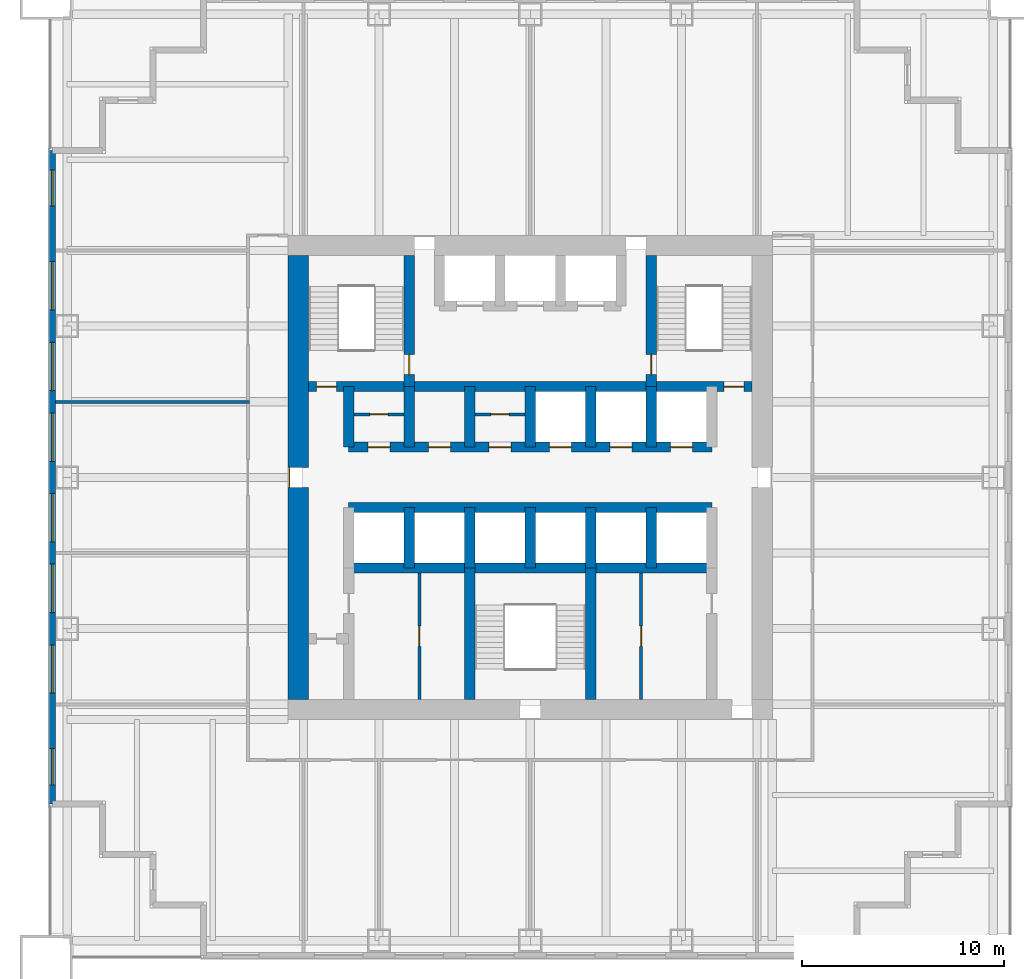
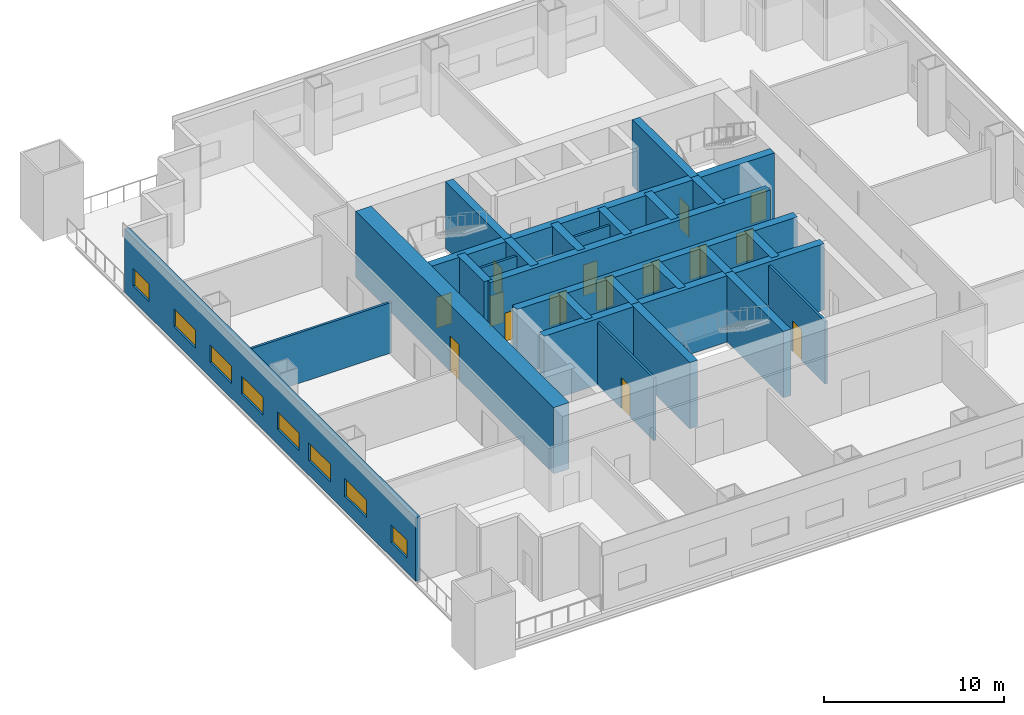
# One storey, part 3 of 7: 26 walls, 15 doors, 8 windows, 23 openings.
"""IFC4 building model written with IfcOpenShell, lengths in metres."""

from ifc_helpers import new_model, si_unit, direction, frame, frame_2d, origin, place, context, subcontext, project, spatial, rectangle, extrude, material, layer, layer_set, type_object, element, fill, save


model = new_model("IFC4")

# Units and contexts
model_context = context("Model", 3, precision=1e-05, world=origin(), true_north=direction((0.0, 1.0)))
body_context = subcontext(model_context, "Body", "Model", "MODEL_VIEW")
ifc_project = project(units=[si_unit("LENGTHUNIT", "METRE"), si_unit("AREAUNIT", "SQUARE_METRE"), si_unit("VOLUMEUNIT", "CUBIC_METRE"), si_unit("PLANEANGLEUNIT", "RADIAN"), si_unit("MASSUNIT", "GRAM", prefix="KILO")], contexts=[model_context])

# Site, building, storey
site_placement = place(None, origin())
site = spatial("IfcSite", under=ifc_project, at=site_placement, CompositionType="ELEMENT")
building_placement = place(site_placement, origin())
building = spatial("IfcBuilding", under=site, at=building_placement, Name="Tarangal Relay Tower", CompositionType="ELEMENT")
storey_placement = place(building_placement, frame((0.0, 0.0, 144.89990234375)))
storey = spatial("IfcBuildingStorey", under=building, at=storey_placement, Name="L29", CompositionType="ELEMENT", Elevation=144.89990234375)

# Wall, openings, doors
ifc_material_1 = material(Name="Concrete fc' 60 MPa", Category="concrete")
ifc_layer_1 = layer(ifc_material_1, 0.5)
ifc_layer_set_1 = layer_set([ifc_layer_1], Name="Core inner wall 500")
wall_type_1 = type_object("IfcWallType", Name="Core inner wall 500", PredefinedType="SHEAR", material=ifc_layer_set_1)
wall_1_placement = place(storey_placement, frame((-11.0, 4.5, 0.0), z_axis=(0.0, 0.0, 1.0), x_axis=(1.0, 0.0, 0.0)))
wall_1 = element("IfcWall", 1, at=wall_1_placement, inside=storey, type_object=wall_type_1, Name="Core wall Y45 L29", PredefinedType="SHEAR", context=body_context, shape_type="SweptSolid", body=[
    extrude(rectangle(XDim=22.0, YDim=0.5, at=frame_2d((11.0, 0.0))), origin(), (0.0, 0.0, 1.0), 4.5),
])
opening_1_placement = place(wall_1_placement, frame((0.39990234375, 0.0, 0.0)))
opening_1 = element("IfcOpeningElement", 2, at=opening_1_placement, cuts=wall_1, Name="Opening FD1", PredefinedType="OPENING", context=body_context, shape_type="SweptSolid", body=[
    extrude(rectangle(XDim=1.0, YDim=2.10009765625, at=frame_2d((0.5, 1.050048828125))), frame((0.0, 0.260009765625, 0.0), z_axis=(0.0, -1.0, 0.0), x_axis=(1.0, 0.0, 0.0)), (0.0, 0.0, 1.0), 0.52001953125),
])
opening_2_placement = place(wall_1_placement, frame((20.60009765625, 0.0, 0.0)))
opening_2 = element("IfcOpeningElement", 3, at=opening_2_placement, cuts=wall_1, Name="Opening FD1", PredefinedType="OPENING", context=body_context, shape_type="SweptSolid", body=[
    extrude(rectangle(XDim=1.0, YDim=2.10009765625, at=frame_2d((0.5, 1.050048828125))), frame((0.0, 0.260009765625, 0.0), z_axis=(0.0, -1.0, 0.0), x_axis=(1.0, 0.0, 0.0)), (0.0, 0.0, 1.0), 0.52001953125),
])
ifc_material_2 = material(Name="Steel door with hardwood frame", Category="steel")
door_type_1 = type_object("IfcDoorType", Name="Fire door 1000 x 2100", OperationType="SINGLE_SWING_LEFT", PredefinedType="DOOR", material=ifc_material_2)
door_1_placement = place(opening_1_placement, origin())
door_1 = element("IfcDoor", 4, at=door_1_placement, inside=storey, type_object=door_type_1, Name="Stair ST-A door from corridor L29", OperationType="SINGLE_SWING_LEFT", OverallHeight=2.10009765625, OverallWidth=1.0, PredefinedType="DOOR", context=body_context, shape_type="SweptSolid", body=[
    extrude(rectangle(XDim=1.0, YDim=2.10009765625, at=frame_2d((0.5, 1.050048828125))), frame((0.0, 0.02490234375, 0.0), z_axis=(0.0, -1.0, 0.0), x_axis=(1.0, 0.0, 0.0)), (0.0, 0.0, 1.0), 0.050048828125),
])
fill(opening_1, door_1)
door_2_placement = place(opening_2_placement, origin())
door_2 = element("IfcDoor", 5, at=door_2_placement, inside=storey, type_object=door_type_1, Name="Stair ST-B door from corridor L29", OperationType="SINGLE_SWING_LEFT", OverallHeight=2.10009765625, OverallWidth=1.0, PredefinedType="DOOR", context=body_context, shape_type="SweptSolid", body=[
    extrude(rectangle(XDim=1.0, YDim=2.10009765625, at=frame_2d((0.5, 1.050048828125))), frame((0.0, 0.02490234375, 0.0), z_axis=(0.0, -1.0, 0.0), x_axis=(1.0, 0.0, 0.0)), (0.0, 0.0, 1.0), 0.050048828125),
])
fill(opening_2, door_2)

wall_2_placement = place(storey_placement, frame((-9.0, 1.5, 0.0), z_axis=(0.0, 0.0, 1.0), x_axis=(1.0, 0.0, 0.0)))
wall_2 = element("IfcWall", 6, at=wall_2_placement, inside=storey, type_object=wall_type_1, Name="Core wall Y15 L29", PredefinedType="SHEAR", context=body_context, shape_type="SweptSolid", body=[
    extrude(rectangle(XDim=18.0, YDim=0.5, at=frame_2d((9.0, 0.0))), origin(), (0.0, 0.0, 1.0), 4.5),
])
opening_3_placement = place(wall_2_placement, frame((9.949951171875, 0.0, 0.0)))
opening_3 = element("IfcOpeningElement", 7, at=opening_3_placement, cuts=wall_2, Name="Opening LD1", PredefinedType="OPENING", context=body_context, shape_type="SweptSolid", body=[
    extrude(rectangle(XDim=1.10009765625, YDim=2.10009765625, at=frame_2d((0.550048828125, 1.050048828125))), frame((0.0, 0.260009765625, 0.0), z_axis=(0.0, -1.0, 0.0), x_axis=(1.0, 0.0, 0.0)), (0.0, 0.0, 1.0), 0.52001953125),
])
opening_4_placement = place(wall_2_placement, frame((12.949951171875, 0.0, 0.0)))
opening_4 = element("IfcOpeningElement", 8, at=opening_4_placement, cuts=wall_2, Name="Opening LD1", PredefinedType="OPENING", context=body_context, shape_type="SweptSolid", body=[
    extrude(rectangle(XDim=1.10009765625, YDim=2.10009765625, at=frame_2d((0.550048828125, 1.050048828125))), frame((0.0, 0.260009765625, 0.0), z_axis=(0.0, -1.0, 0.0), x_axis=(1.0, 0.0, 0.0)), (0.0, 0.0, 1.0), 0.52001953125),
])
opening_5_placement = place(wall_2_placement, frame((15.949951171875, 0.0, 0.0)))
opening_5 = element("IfcOpeningElement", 9, at=opening_5_placement, cuts=wall_2, Name="Opening LD1", PredefinedType="OPENING", context=body_context, shape_type="SweptSolid", body=[
    extrude(rectangle(XDim=1.10009765625, YDim=2.10009765625, at=frame_2d((0.550048828125, 1.050048828125))), frame((0.0, 0.260009765625, 0.0), z_axis=(0.0, -1.0, 0.0), x_axis=(1.0, 0.0, 0.0)), (0.0, 0.0, 1.0), 0.52001953125),
])
opening_6_placement = place(wall_2_placement, frame((0.949951171875, 0.0, 0.0)))
opening_6 = element("IfcOpeningElement", 10, at=opening_6_placement, cuts=wall_2, Name="Opening D4", PredefinedType="OPENING", context=body_context, shape_type="SweptSolid", body=[
    extrude(rectangle(XDim=1.10009765625, YDim=2.10009765625, at=frame_2d((0.550048828125, 1.050048828125))), frame((0.0, 0.260009765625, 0.0), z_axis=(0.0, -1.0, 0.0), x_axis=(1.0, 0.0, 0.0)), (0.0, 0.0, 1.0), 0.52001953125),
])
opening_7_placement = place(wall_2_placement, frame((3.949951171875, 0.0, 0.0)))
opening_7 = element("IfcOpeningElement", 11, at=opening_7_placement, cuts=wall_2, Name="Opening D4", PredefinedType="OPENING", context=body_context, shape_type="SweptSolid", body=[
    extrude(rectangle(XDim=1.10009765625, YDim=2.10009765625, at=frame_2d((0.550048828125, 1.050048828125))), frame((0.0, 0.260009765625, 0.0), z_axis=(0.0, -1.0, 0.0), x_axis=(1.0, 0.0, 0.0)), (0.0, 0.0, 1.0), 0.52001953125),
])
opening_8_placement = place(wall_2_placement, frame((6.949951171875, 0.0, 0.0)))
opening_8 = element("IfcOpeningElement", 12, at=opening_8_placement, cuts=wall_2, Name="Opening D4", PredefinedType="OPENING", context=body_context, shape_type="SweptSolid", body=[
    extrude(rectangle(XDim=1.10009765625, YDim=2.10009765625, at=frame_2d((0.550048828125, 1.050048828125))), frame((0.0, 0.260009765625, 0.0), z_axis=(0.0, -1.0, 0.0), x_axis=(1.0, 0.0, 0.0)), (0.0, 0.0, 1.0), 0.52001953125),
])
door_type_2 = type_object("IfcDoorType", Name="Core room door 1100 x 2100", OperationType="SINGLE_SWING_RIGHT", PredefinedType="DOOR", material=ifc_material_2)
door_3_placement = place(opening_6_placement, origin())
door_3 = element("IfcDoor", 13, at=door_3_placement, inside=storey, type_object=door_type_2, Name="Door D4 to it room L29-D1", OperationType="SINGLE_SWING_RIGHT", OverallHeight=2.10009765625, OverallWidth=1.10009765625, PredefinedType="DOOR", context=body_context, shape_type="SweptSolid", body=[
    extrude(rectangle(XDim=1.10009765625, YDim=2.10009765625, at=frame_2d((0.550048828125, 1.050048828125))), frame((0.0, 0.02490234375, 0.0), z_axis=(0.0, -1.0, 0.0), x_axis=(1.0, 0.0, 0.0)), (0.0, 0.0, 1.0), 0.050048828125),
])
fill(opening_6, door_3)
door_4_placement = place(opening_7_placement, origin())
door_4 = element("IfcDoor", 14, at=door_4_placement, inside=storey, type_object=door_type_2, Name="Door D4 to back-of-house plant room L29-D2", OperationType="SINGLE_SWING_RIGHT", OverallHeight=2.10009765625, OverallWidth=1.10009765625, PredefinedType="DOOR", context=body_context, shape_type="SweptSolid", body=[
    extrude(rectangle(XDim=1.10009765625, YDim=2.10009765625, at=frame_2d((0.550048828125, 1.050048828125))), frame((0.0, 0.02490234375, 0.0), z_axis=(0.0, -1.0, 0.0), x_axis=(1.0, 0.0, 0.0)), (0.0, 0.0, 1.0), 0.050048828125),
])
fill(opening_7, door_4)
door_5_placement = place(opening_8_placement, origin())
door_5 = element("IfcDoor", 15, at=door_5_placement, inside=storey, type_object=door_type_2, Name="Door D4 to staff pantry L29-D3", OperationType="SINGLE_SWING_RIGHT", OverallHeight=2.10009765625, OverallWidth=1.10009765625, PredefinedType="DOOR", context=body_context, shape_type="SweptSolid", body=[
    extrude(rectangle(XDim=1.10009765625, YDim=2.10009765625, at=frame_2d((0.550048828125, 1.050048828125))), frame((0.0, 0.02490234375, 0.0), z_axis=(0.0, -1.0, 0.0), x_axis=(1.0, 0.0, 0.0)), (0.0, 0.0, 1.0), 0.050048828125),
])
fill(opening_8, door_5)
door_type_3 = type_object("IfcDoorType", Name="Lift landing door 1100 x 2100", OperationType="SLIDING_TO_LEFT", PredefinedType="DOOR", material=ifc_material_2)
door_6_placement = place(opening_3_placement, origin())
door_6 = element("IfcDoor", 16, at=door_6_placement, inside=storey, type_object=door_type_3, Name="Lift T1 landing door L29", OperationType="SLIDING_TO_LEFT", OverallHeight=2.10009765625, OverallWidth=1.10009765625, PredefinedType="DOOR", context=body_context, shape_type="SweptSolid", body=[
    extrude(rectangle(XDim=1.10009765625, YDim=2.10009765625, at=frame_2d((0.550048828125, 1.050048828125))), frame((0.0, 0.02490234375, 0.0), z_axis=(0.0, -1.0, 0.0), x_axis=(1.0, 0.0, 0.0)), (0.0, 0.0, 1.0), 0.050048828125),
])
fill(opening_3, door_6)
door_7_placement = place(opening_4_placement, origin())
door_7 = element("IfcDoor", 17, at=door_7_placement, inside=storey, type_object=door_type_3, Name="Lift T2 landing door L29", OperationType="SLIDING_TO_LEFT", OverallHeight=2.10009765625, OverallWidth=1.10009765625, PredefinedType="DOOR", context=body_context, shape_type="SweptSolid", body=[
    extrude(rectangle(XDim=1.10009765625, YDim=2.10009765625, at=frame_2d((0.550048828125, 1.050048828125))), frame((0.0, 0.02490234375, 0.0), z_axis=(0.0, -1.0, 0.0), x_axis=(1.0, 0.0, 0.0)), (0.0, 0.0, 1.0), 0.050048828125),
])
fill(opening_4, door_7)
door_8_placement = place(opening_5_placement, origin())
door_8 = element("IfcDoor", 18, at=door_8_placement, inside=storey, type_object=door_type_3, Name="Lift T3 landing door L29", OperationType="SLIDING_TO_LEFT", OverallHeight=2.10009765625, OverallWidth=1.10009765625, PredefinedType="DOOR", context=body_context, shape_type="SweptSolid", body=[
    extrude(rectangle(XDim=1.10009765625, YDim=2.10009765625, at=frame_2d((0.550048828125, 1.050048828125))), frame((0.0, 0.02490234375, 0.0), z_axis=(0.0, -1.0, 0.0), x_axis=(1.0, 0.0, 0.0)), (0.0, 0.0, 1.0), 0.050048828125),
])
fill(opening_5, door_8)

# Walls
for number, where, z_axis, x_axis, name in (
    (19, (-9.0, -1.5, 0.0), (0.0, 0.0, 1.0), (1.0, 0.0, 0.0), "Core wall YM15 L29"),
    (20, (-9.0, -4.5, 0.0), (0.0, 0.0, 1.0), (1.0, 0.0, 0.0), "Core wall YM45 L29"),
):
    element("IfcWall", number, at=place(storey_placement, frame(where, z_axis=z_axis, x_axis=x_axis)), inside=storey, type_object=wall_type_1, Name=name, PredefinedType="SHEAR", context=body_context, shape_type="SweptSolid", body=[
        extrude(rectangle(XDim=18.0, YDim=0.5, at=frame_2d((9.0, 0.0))), origin(), (0.0, 0.0, 1.0), 4.5),
    ])
for number, where, z_axis, x_axis, name in (
    (21, (-9.0, 1.5, 0.0), (0.0, 0.0, 1.0), (0.0, 1.0, 0.0), "Core wall XM9N L29"),
    (22, (-6.0, 1.5, 0.0), (0.0, 0.0, 1.0), (0.0, 1.0, 0.0), "Core wall XM6N L29"),
    (23, (-3.0, 1.5, 0.0), (0.0, 0.0, 1.0), (0.0, 1.0, 0.0), "Core wall XM3N L29"),
    (24, (0.0, 1.5, 0.0), (0.0, 0.0, 1.0), (0.0, 1.0, 0.0), "Core wall X0N L29"),
    (25, (3.0, 1.5, 0.0), (0.0, 0.0, 1.0), (0.0, 1.0, 0.0), "Core wall X3N L29"),
    (26, (6.0, 1.5, 0.0), (0.0, 0.0, 1.0), (0.0, 1.0, 0.0), "Core wall X6N L29"),
    (27, (-6.0, -4.5, 0.0), (0.0, 0.0, 1.0), (0.0, 1.0, 0.0), "Core wall XM6S L29"),
    (28, (-3.0, -4.5, 0.0), (0.0, 0.0, 1.0), (0.0, 1.0, 0.0), "Core wall XM3S L29"),
    (29, (0.0, -4.5, 0.0), (0.0, 0.0, 1.0), (0.0, 1.0, 0.0), "Core wall X0S L29"),
    (30, (3.0, -4.5, 0.0), (0.0, 0.0, 1.0), (0.0, 1.0, 0.0), "Core wall X3S L29"),
    (31, (6.0, -4.5, 0.0), (0.0, 0.0, 1.0), (0.0, 1.0, 0.0), "Core wall X6S L29"),
):
    element("IfcWall", number, at=place(storey_placement, frame(where, z_axis=z_axis, x_axis=x_axis)), inside=storey, type_object=wall_type_1, Name=name, PredefinedType="SHEAR", context=body_context, shape_type="SweptSolid", body=[
        extrude(rectangle(XDim=3.0, YDim=0.5, at=frame_2d((1.5, 0.0))), origin(), (0.0, 0.0, 1.0), 4.5),
    ])

# Wall, opening, door
wall_3_placement = place(storey_placement, frame((-6.0, 4.5, 0.0), z_axis=(0.0, 0.0, 1.0), x_axis=(0.0, 1.0, 0.0)))
wall_3 = element("IfcWall", 32, at=wall_3_placement, inside=storey, type_object=wall_type_1, Name="Core wall XM6 L29", PredefinedType="SHEAR", context=body_context, shape_type="SweptSolid", body=[
    extrude(rectangle(XDim=6.5, YDim=0.5, at=frame_2d((3.25, 0.0))), origin(), (0.0, 0.0, 1.0), 4.5),
])
opening_9_placement = place(wall_3_placement, frame((0.60009765625, 0.0, 0.0)))
opening_9 = element("IfcOpeningElement", 33, at=opening_9_placement, cuts=wall_3, Name="Opening FD1", PredefinedType="OPENING", context=body_context, shape_type="SweptSolid", body=[
    extrude(rectangle(XDim=1.0, YDim=2.10009765625, at=frame_2d((0.5, 1.050048828125))), frame((0.0, 0.260009765625, 0.0), z_axis=(0.0, -1.0, 0.0), x_axis=(1.0, 0.0, 0.0)), (0.0, 0.0, 1.0), 0.52001953125),
])
door_9_placement = place(opening_9_placement, origin())
door_9 = element("IfcDoor", 34, at=door_9_placement, inside=storey, type_object=door_type_1, Name="Stair ST-A door from fire-fighting lobby L29", OperationType="SINGLE_SWING_LEFT", OverallHeight=2.10009765625, OverallWidth=1.0, PredefinedType="DOOR", context=body_context, shape_type="SweptSolid", body=[
    extrude(rectangle(XDim=1.0, YDim=2.10009765625, at=frame_2d((0.5, 1.050048828125))), frame((0.0, 0.02490234375, 0.0), z_axis=(0.0, -1.0, 0.0), x_axis=(1.0, 0.0, 0.0)), (0.0, 0.0, 1.0), 0.050048828125),
])
fill(opening_9, door_9)

wall_4_placement = place(storey_placement, frame((6.0, 4.5, 0.0), z_axis=(0.0, 0.0, 1.0), x_axis=(0.0, 1.0, 0.0)))
wall_4 = element("IfcWall", 35, at=wall_4_placement, inside=storey, type_object=wall_type_1, Name="Core wall X6 L29", PredefinedType="SHEAR", context=body_context, shape_type="SweptSolid", body=[
    extrude(rectangle(XDim=6.5, YDim=0.5, at=frame_2d((3.25, 0.0))), origin(), (0.0, 0.0, 1.0), 4.5),
])
opening_10_placement = place(wall_4_placement, frame((0.60009765625, 0.0, 0.0)))
opening_10 = element("IfcOpeningElement", 36, at=opening_10_placement, cuts=wall_4, Name="Opening FD1", PredefinedType="OPENING", context=body_context, shape_type="SweptSolid", body=[
    extrude(rectangle(XDim=1.0, YDim=2.10009765625, at=frame_2d((0.5, 1.050048828125))), frame((0.0, 0.260009765625, 0.0), z_axis=(0.0, -1.0, 0.0), x_axis=(1.0, 0.0, 0.0)), (0.0, 0.0, 1.0), 0.52001953125),
])
door_10_placement = place(opening_10_placement, origin())
door_10 = element("IfcDoor", 37, at=door_10_placement, inside=storey, type_object=door_type_1, Name="Stair ST-B door from fire-fighting lobby L29", OperationType="SINGLE_SWING_LEFT", OverallHeight=2.10009765625, OverallWidth=1.0, PredefinedType="DOOR", context=body_context, shape_type="SweptSolid", body=[
    extrude(rectangle(XDim=1.0, YDim=2.10009765625, at=frame_2d((0.5, 1.050048828125))), frame((0.0, 0.02490234375, 0.0), z_axis=(0.0, -1.0, 0.0), x_axis=(1.0, 0.0, 0.0)), (0.0, 0.0, 1.0), 0.050048828125),
])
fill(opening_10, door_10)

# Walls
for number, where, z_axis, x_axis, name in (
    (38, (-3.0, -11.0, 0.0), (0.0, 0.0, 1.0), (0.0, 1.0, 0.0), "Core wall XM3W L29"),
    (39, (3.0, -11.0, 0.0), (0.0, 0.0, 1.0), (0.0, 1.0, 0.0), "Core wall X3W L29"),
):
    element("IfcWall", number, at=place(storey_placement, frame(where, z_axis=z_axis, x_axis=x_axis)), inside=storey, type_object=wall_type_1, Name=name, PredefinedType="SHEAR", context=body_context, shape_type="SweptSolid", body=[
        extrude(rectangle(XDim=6.5, YDim=0.5, at=frame_2d((3.25, 0.0))), origin(), (0.0, 0.0, 1.0), 4.5),
    ])

# Wall, opening, door
ifc_layer_2 = layer(ifc_material_1, 1.0)
ifc_layer_set_2 = layer_set([ifc_layer_2], Name="Core wall 1000")
wall_type_2 = type_object("IfcWallType", Name="Core wall 1000", PredefinedType="SHEAR", material=ifc_layer_set_2)
wall_5_placement = place(storey_placement, frame((-11.5, -11.0, 0.0), z_axis=(0.0, 0.0, 1.0), x_axis=(0.0, 1.0, 0.0)))
wall_5 = element("IfcWall", 40, at=wall_5_placement, inside=storey, type_object=wall_type_2, Name="Core wall W L29", PredefinedType="SHEAR", context=body_context, shape_type="SweptSolid", body=[
    extrude(rectangle(XDim=22.0, YDim=1.0, at=frame_2d((11.0, 0.0))), origin(), (0.0, 0.0, 1.0), 4.5),
])
opening_11_placement = place(wall_5_placement, frame((10.5, 0.0, 0.0)))
opening_11 = element("IfcOpeningElement", 41, at=opening_11_placement, cuts=wall_5, Name="Opening FD3", PredefinedType="OPENING", context=body_context, shape_type="SweptSolid", body=[
    extrude(rectangle(XDim=1.0, YDim=2.39990234375, at=frame_2d((0.5, 1.199951171875))), frame((0.0, 0.510009765625, 0.0), z_axis=(0.0, -1.0, 0.0), x_axis=(1.0, 0.0, 0.0)), (0.0, 0.0, 1.0), 1.02001953125),
])
door_type_4 = type_object("IfcDoorType", Name="Fire door 1000 x 2400 core entry", OperationType="SINGLE_SWING_RIGHT", PredefinedType="DOOR", material=ifc_material_2)
door_11_placement = place(opening_11_placement, origin())
door_11 = element("IfcDoor", 42, at=door_11_placement, inside=storey, type_object=door_type_4, Name="Core entry door west L29", OperationType="SINGLE_SWING_RIGHT", OverallHeight=2.39990234375, OverallWidth=1.0, PredefinedType="DOOR", context=body_context, shape_type="SweptSolid", body=[
    extrude(rectangle(XDim=1.0, YDim=2.39990234375, at=frame_2d((0.5, 1.199951171875))), frame((0.0, 0.48486328125, 0.0), z_axis=(0.0, -1.0, 0.0), x_axis=(1.0, 0.0, 0.0)), (0.0, 0.0, 1.0), 0.050048828125),
])
fill(opening_11, door_11)

# Wall, openings, windows
ifc_material_3 = material(Name="Insulated precast concrete fc' 40 MPa", Category="concrete")
ifc_layer_3 = layer(ifc_material_3, 0.300048828125)
ifc_layer_set_3 = layer_set([ifc_layer_3], Name="Insulated precast concrete fc' 40 MPa")
wall_type_3 = type_object("IfcWallType", Name="Facade wall precast 300", PredefinedType="SOLIDWALL", material=ifc_layer_set_3)
wall_6_placement = place(storey_placement, frame((-23.699951171875, -16.199951171875, 0.0), z_axis=(0.0, 0.0, 1.0), x_axis=(0.0, 1.0, 0.0)))
wall_6 = element("IfcWall", 43, at=wall_6_placement, inside=storey, type_object=wall_type_3, Name="Facade wall W facade L29", PredefinedType="SOLIDWALL", context=body_context, shape_type="SweptSolid", body=[
    extrude(rectangle(XDim=32.39990234375, YDim=0.300048828125, at=frame_2d((16.199951171875, 0.0))), origin(), (0.0, 0.0, 1.0), 4.300048828125),
])
opening_12_placement = place(wall_6_placement, frame((0.949951171875, 0.0, 1.0)))
opening_12 = element("IfcOpeningElement", 44, at=opening_12_placement, cuts=wall_6, Name="Opening WN5", PredefinedType="OPENING", context=body_context, shape_type="SweptSolid", body=[
    extrude(rectangle(XDim=1.800048828125, YDim=1.199951171875, at=frame_2d((0.89990234375, 0.60009765625))), frame((0.0, 0.159912109375, 0.0), z_axis=(0.0, -1.0, 0.0), x_axis=(1.0, 0.0, 0.0)), (0.0, 0.0, 1.0), 0.320068359375),
])
opening_13_placement = place(wall_6_placement, frame((5.5, 0.0, 1.0)))
opening_13 = element("IfcOpeningElement", 45, at=opening_13_placement, cuts=wall_6, Name="Opening WN1", PredefinedType="OPENING", context=body_context, shape_type="SweptSolid", body=[
    extrude(rectangle(XDim=2.39990234375, YDim=1.199951171875, at=frame_2d((1.199951171875, 0.60009765625))), frame((0.0, 0.159912109375, 0.0), z_axis=(0.0, -1.0, 0.0), x_axis=(1.0, 0.0, 0.0)), (0.0, 0.0, 1.0), 0.320068359375),
])
opening_14_placement = place(wall_6_placement, frame((9.5, 0.0, 1.0)))
opening_14 = element("IfcOpeningElement", 46, at=opening_14_placement, cuts=wall_6, Name="Opening WN1", PredefinedType="OPENING", context=body_context, shape_type="SweptSolid", body=[
    extrude(rectangle(XDim=2.39990234375, YDim=1.199951171875, at=frame_2d((1.199951171875, 0.60009765625))), frame((0.0, 0.159912109375, 0.0), z_axis=(0.0, -1.0, 0.0), x_axis=(1.0, 0.0, 0.0)), (0.0, 0.0, 1.0), 0.320068359375),
])
opening_15_placement = place(wall_6_placement, frame((13.0, 0.0, 1.0)))
opening_15 = element("IfcOpeningElement", 47, at=opening_15_placement, cuts=wall_6, Name="Opening WN1", PredefinedType="OPENING", context=body_context, shape_type="SweptSolid", body=[
    extrude(rectangle(XDim=2.39990234375, YDim=1.199951171875, at=frame_2d((1.199951171875, 0.60009765625))), frame((0.0, 0.159912109375, 0.0), z_axis=(0.0, -1.0, 0.0), x_axis=(1.0, 0.0, 0.0)), (0.0, 0.0, 1.0), 0.320068359375),
])
opening_16_placement = place(wall_6_placement, frame((17.0, 0.0, 1.0)))
opening_16 = element("IfcOpeningElement", 48, at=opening_16_placement, cuts=wall_6, Name="Opening WN1", PredefinedType="OPENING", context=body_context, shape_type="SweptSolid", body=[
    extrude(rectangle(XDim=2.39990234375, YDim=1.199951171875, at=frame_2d((1.199951171875, 0.60009765625))), frame((0.0, 0.159912109375, 0.0), z_axis=(0.0, -1.0, 0.0), x_axis=(1.0, 0.0, 0.0)), (0.0, 0.0, 1.0), 0.320068359375),
])
opening_17_placement = place(wall_6_placement, frame((20.5, 0.0, 1.0)))
opening_17 = element("IfcOpeningElement", 49, at=opening_17_placement, cuts=wall_6, Name="Opening WN1", PredefinedType="OPENING", context=body_context, shape_type="SweptSolid", body=[
    extrude(rectangle(XDim=2.39990234375, YDim=1.199951171875, at=frame_2d((1.199951171875, 0.60009765625))), frame((0.0, 0.159912109375, 0.0), z_axis=(0.0, -1.0, 0.0), x_axis=(1.0, 0.0, 0.0)), (0.0, 0.0, 1.0), 0.320068359375),
])
opening_18_placement = place(wall_6_placement, frame((24.5, 0.0, 1.0)))
opening_18 = element("IfcOpeningElement", 50, at=opening_18_placement, cuts=wall_6, Name="Opening WN1", PredefinedType="OPENING", context=body_context, shape_type="SweptSolid", body=[
    extrude(rectangle(XDim=2.39990234375, YDim=1.199951171875, at=frame_2d((1.199951171875, 0.60009765625))), frame((0.0, 0.159912109375, 0.0), z_axis=(0.0, -1.0, 0.0), x_axis=(1.0, 0.0, 0.0)), (0.0, 0.0, 1.0), 0.320068359375),
])
opening_19_placement = place(wall_6_placement, frame((29.64990234375, 0.0, 1.0)))
opening_19 = element("IfcOpeningElement", 51, at=opening_19_placement, cuts=wall_6, Name="Opening WN5", PredefinedType="OPENING", context=body_context, shape_type="SweptSolid", body=[
    extrude(rectangle(XDim=1.800048828125, YDim=1.199951171875, at=frame_2d((0.89990234375, 0.60009765625))), frame((0.0, 0.159912109375, 0.0), z_axis=(0.0, -1.0, 0.0), x_axis=(1.0, 0.0, 0.0)), (0.0, 0.0, 1.0), 0.320068359375),
])
ifc_material_4 = material(Name="Dark tinted double glazing in black aluminium frame", Category="aluminium")
window_type_1 = type_object("IfcWindowType", Name="Ribbon window 1800 x 1200", PartitioningType="SINGLE_PANEL", PredefinedType="WINDOW", material=ifc_material_4)
window_1_placement = place(opening_12_placement, origin())
window_1 = element("IfcWindow", 52, at=window_1_placement, inside=storey, type_object=window_type_1, Name="Ribbon window WN5 W facade L29", OverallHeight=1.199951171875, OverallWidth=1.800048828125, PartitioningType="SINGLE_PANEL", PredefinedType="WINDOW", context=body_context, shape_type="SweptSolid", body=[
    extrude(rectangle(XDim=1.800048828125, YDim=1.199951171875, at=frame_2d((0.89990234375, 0.60009765625))), frame((0.0, 0.030029296875, 0.0), z_axis=(0.0, -1.0, 0.0), x_axis=(1.0, 0.0, 0.0)), (0.0, 0.0, 1.0), 0.06005859375),
])
fill(opening_12, window_1)
window_2_placement = place(opening_19_placement, origin())
window_2 = element("IfcWindow", 53, at=window_2_placement, inside=storey, type_object=window_type_1, Name="Ribbon window WN5 W facade L29", OverallHeight=1.199951171875, OverallWidth=1.800048828125, PartitioningType="SINGLE_PANEL", PredefinedType="WINDOW", context=body_context, shape_type="SweptSolid", body=[
    extrude(rectangle(XDim=1.800048828125, YDim=1.199951171875, at=frame_2d((0.89990234375, 0.60009765625))), frame((0.0, 0.030029296875, 0.0), z_axis=(0.0, -1.0, 0.0), x_axis=(1.0, 0.0, 0.0)), (0.0, 0.0, 1.0), 0.06005859375),
])
fill(opening_19, window_2)
window_type_2 = type_object("IfcWindowType", Name="Ribbon window 2400 x 1200", PartitioningType="SINGLE_PANEL", PredefinedType="WINDOW", material=ifc_material_4)
window_3_placement = place(opening_13_placement, origin())
window_3 = element("IfcWindow", 54, at=window_3_placement, inside=storey, type_object=window_type_2, Name="Ribbon window WN1 W facade L29", OverallHeight=1.199951171875, OverallWidth=2.39990234375, PartitioningType="SINGLE_PANEL", PredefinedType="WINDOW", context=body_context, shape_type="SweptSolid", body=[
    extrude(rectangle(XDim=2.39990234375, YDim=1.199951171875, at=frame_2d((1.199951171875, 0.60009765625))), frame((0.0, 0.030029296875, 0.0), z_axis=(0.0, -1.0, 0.0), x_axis=(1.0, 0.0, 0.0)), (0.0, 0.0, 1.0), 0.06005859375),
])
fill(opening_13, window_3)
window_4_placement = place(opening_14_placement, origin())
window_4 = element("IfcWindow", 55, at=window_4_placement, inside=storey, type_object=window_type_2, Name="Ribbon window WN1 W facade L29", OverallHeight=1.199951171875, OverallWidth=2.39990234375, PartitioningType="SINGLE_PANEL", PredefinedType="WINDOW", context=body_context, shape_type="SweptSolid", body=[
    extrude(rectangle(XDim=2.39990234375, YDim=1.199951171875, at=frame_2d((1.199951171875, 0.60009765625))), frame((0.0, 0.030029296875, 0.0), z_axis=(0.0, -1.0, 0.0), x_axis=(1.0, 0.0, 0.0)), (0.0, 0.0, 1.0), 0.06005859375),
])
fill(opening_14, window_4)
window_5_placement = place(opening_15_placement, origin())
window_5 = element("IfcWindow", 56, at=window_5_placement, inside=storey, type_object=window_type_2, Name="Ribbon window WN1 W facade L29", OverallHeight=1.199951171875, OverallWidth=2.39990234375, PartitioningType="SINGLE_PANEL", PredefinedType="WINDOW", context=body_context, shape_type="SweptSolid", body=[
    extrude(rectangle(XDim=2.39990234375, YDim=1.199951171875, at=frame_2d((1.199951171875, 0.60009765625))), frame((0.0, 0.030029296875, 0.0), z_axis=(0.0, -1.0, 0.0), x_axis=(1.0, 0.0, 0.0)), (0.0, 0.0, 1.0), 0.06005859375),
])
fill(opening_15, window_5)
window_6_placement = place(opening_16_placement, origin())
window_6 = element("IfcWindow", 57, at=window_6_placement, inside=storey, type_object=window_type_2, Name="Ribbon window WN1 W facade L29", OverallHeight=1.199951171875, OverallWidth=2.39990234375, PartitioningType="SINGLE_PANEL", PredefinedType="WINDOW", context=body_context, shape_type="SweptSolid", body=[
    extrude(rectangle(XDim=2.39990234375, YDim=1.199951171875, at=frame_2d((1.199951171875, 0.60009765625))), frame((0.0, 0.030029296875, 0.0), z_axis=(0.0, -1.0, 0.0), x_axis=(1.0, 0.0, 0.0)), (0.0, 0.0, 1.0), 0.06005859375),
])
fill(opening_16, window_6)
window_7_placement = place(opening_17_placement, origin())
window_7 = element("IfcWindow", 58, at=window_7_placement, inside=storey, type_object=window_type_2, Name="Ribbon window WN1 W facade L29", OverallHeight=1.199951171875, OverallWidth=2.39990234375, PartitioningType="SINGLE_PANEL", PredefinedType="WINDOW", context=body_context, shape_type="SweptSolid", body=[
    extrude(rectangle(XDim=2.39990234375, YDim=1.199951171875, at=frame_2d((1.199951171875, 0.60009765625))), frame((0.0, 0.030029296875, 0.0), z_axis=(0.0, -1.0, 0.0), x_axis=(1.0, 0.0, 0.0)), (0.0, 0.0, 1.0), 0.06005859375),
])
fill(opening_17, window_7)
window_8_placement = place(opening_18_placement, origin())
window_8 = element("IfcWindow", 59, at=window_8_placement, inside=storey, type_object=window_type_2, Name="Ribbon window WN1 W facade L29", OverallHeight=1.199951171875, OverallWidth=2.39990234375, PartitioningType="SINGLE_PANEL", PredefinedType="WINDOW", context=body_context, shape_type="SweptSolid", body=[
    extrude(rectangle(XDim=2.39990234375, YDim=1.199951171875, at=frame_2d((1.199951171875, 0.60009765625))), frame((0.0, 0.030029296875, 0.0), z_axis=(0.0, -1.0, 0.0), x_axis=(1.0, 0.0, 0.0)), (0.0, 0.0, 1.0), 0.06005859375),
])
fill(opening_18, window_8)

# Wall
ifc_material_5 = material(Name="Gypsum board on steel studs", Category="steel")
ifc_layer_4 = layer(ifc_material_5, 0.14990234375)
ifc_layer_set_4 = layer_set([ifc_layer_4], Name="Partition 150")
wall_type_4 = type_object("IfcWallType", Name="Partition 150", PredefinedType="PARTITIONING", material=ifc_layer_set_4)
wall_7_placement = place(storey_placement, frame((-23.550048828125, 3.75, 0.0), z_axis=(0.0, 0.0, 1.0), x_axis=(1.0, 0.0, 0.0)))
element("IfcWall", 60, at=wall_7_placement, inside=storey, type_object=wall_type_4, Name="Partition PT1 L29", PredefinedType="PARTITIONING", context=body_context, shape_type="SweptSolid", body=[
    extrude(rectangle(XDim=9.625, YDim=0.14990234375, at=frame_2d((4.8125, 0.0))), origin(), (0.0, 0.0, 1.0), 3.431396484375),
])

# Wall, opening, door
wall_8_placement = place(storey_placement, frame((-5.5, -11.0, 0.0), z_axis=(0.0, 0.0, 1.0), x_axis=(0.0, 1.0, 0.0)))
wall_8 = element("IfcWall", 61, at=wall_8_placement, inside=storey, type_object=wall_type_4, Name="Partition PT1 L29", PredefinedType="PARTITIONING", context=body_context, shape_type="SweptSolid", body=[
    extrude(rectangle(XDim=6.25, YDim=0.14990234375, at=frame_2d((3.125, 0.0))), origin(), (0.0, 0.0, 1.0), 4.25),
])
opening_20_placement = place(wall_8_placement, frame((2.625, 0.0, 0.0)))
opening_20 = element("IfcOpeningElement", 62, at=opening_20_placement, cuts=wall_8, Name="Opening D1", PredefinedType="OPENING", context=body_context, shape_type="SweptSolid", body=[
    extrude(rectangle(XDim=1.0, YDim=2.10009765625, at=frame_2d((0.5, 1.050048828125))), frame((0.0, 0.0849609375, 0.0), z_axis=(0.0, -1.0, 0.0), x_axis=(1.0, 0.0, 0.0)), (0.0, 0.0, 1.0), 0.169921875),
])
ifc_material_6 = material(Name="Hardwood door", Category="wood")
door_type_5 = type_object("IfcDoorType", Name="WC door 1000 x 2100", OperationType="SINGLE_SWING_LEFT", PredefinedType="DOOR", material=ifc_material_6)
door_12_placement = place(opening_20_placement, origin())
door_12 = element("IfcDoor", 63, at=door_12_placement, inside=storey, type_object=door_type_5, Name="Door D1 to male shower and changing room L29-C7B", OperationType="SINGLE_SWING_LEFT", OverallHeight=2.10009765625, OverallWidth=1.0, PredefinedType="DOOR", context=body_context, shape_type="SweptSolid", body=[
    extrude(rectangle(XDim=1.0, YDim=2.10009765625, at=frame_2d((0.5, 1.050048828125))), frame((0.0, 0.02490234375, 0.0), z_axis=(0.0, -1.0, 0.0), x_axis=(1.0, 0.0, 0.0)), (0.0, 0.0, 1.0), 0.050048828125),
])
fill(opening_20, door_12)

wall_9_placement = place(storey_placement, frame((5.5, -11.0, 0.0), z_axis=(0.0, 0.0, 1.0), x_axis=(0.0, 1.0, 0.0)))
wall_9 = element("IfcWall", 64, at=wall_9_placement, inside=storey, type_object=wall_type_4, Name="Partition PT1 L29", PredefinedType="PARTITIONING", context=body_context, shape_type="SweptSolid", body=[
    extrude(rectangle(XDim=6.25, YDim=0.14990234375, at=frame_2d((3.125, 0.0))), origin(), (0.0, 0.0, 1.0), 4.25),
])
opening_21_placement = place(wall_9_placement, frame((2.625, 0.0, 0.0)))
opening_21 = element("IfcOpeningElement", 65, at=opening_21_placement, cuts=wall_9, Name="Opening D1", PredefinedType="OPENING", context=body_context, shape_type="SweptSolid", body=[
    extrude(rectangle(XDim=1.0, YDim=2.10009765625, at=frame_2d((0.5, 1.050048828125))), frame((0.0, 0.0849609375, 0.0), z_axis=(0.0, -1.0, 0.0), x_axis=(1.0, 0.0, 0.0)), (0.0, 0.0, 1.0), 0.169921875),
])
door_13_placement = place(opening_21_placement, origin())
door_13 = element("IfcDoor", 66, at=door_13_placement, inside=storey, type_object=door_type_5, Name="Door D1 to female shower and changing room L29-C10B", OperationType="SINGLE_SWING_LEFT", OverallHeight=2.10009765625, OverallWidth=1.0, PredefinedType="DOOR", context=body_context, shape_type="SweptSolid", body=[
    extrude(rectangle(XDim=1.0, YDim=2.10009765625, at=frame_2d((0.5, 1.050048828125))), frame((0.0, 0.02490234375, 0.0), z_axis=(0.0, -1.0, 0.0), x_axis=(1.0, 0.0, 0.0)), (0.0, 0.0, 1.0), 0.050048828125),
])
fill(opening_21, door_13)

wall_10_placement = place(storey_placement, frame((-8.75, 3.125, 0.0), z_axis=(0.0, 0.0, 1.0), x_axis=(1.0, 0.0, 0.0)))
wall_10 = element("IfcWall", 67, at=wall_10_placement, inside=storey, type_object=wall_type_4, Name="Partition PT1 L29", PredefinedType="PARTITIONING", context=body_context, shape_type="SweptSolid", body=[
    extrude(rectangle(XDim=2.5, YDim=0.14990234375, at=frame_2d((1.25, 0.0))), origin(), (0.0, 0.0, 1.0), 4.25),
])
opening_22_placement = place(wall_10_placement, frame((0.800048828125, 0.0, 0.0)))
opening_22 = element("IfcOpeningElement", 68, at=opening_22_placement, cuts=wall_10, Name="Opening D5", PredefinedType="OPENING", context=body_context, shape_type="SweptSolid", body=[
    extrude(rectangle(XDim=0.89990234375, YDim=2.10009765625, at=frame_2d((0.449951171875, 1.050048828125))), frame((0.0, 0.0849609375, 0.0), z_axis=(0.0, -1.0, 0.0), x_axis=(1.0, 0.0, 0.0)), (0.0, 0.0, 1.0), 0.169921875),
])
door_type_6 = type_object("IfcDoorType", Name="Cupboard door 900 x 2100", OperationType="SINGLE_SWING_LEFT", PredefinedType="DOOR", material=ifc_material_6)
door_14_placement = place(opening_22_placement, origin())
door_14 = element("IfcDoor", 69, at=door_14_placement, inside=storey, type_object=door_type_6, Name="Door D5 to it patch cupboard L29-D1B", OperationType="SINGLE_SWING_LEFT", OverallHeight=2.10009765625, OverallWidth=0.89990234375, PredefinedType="DOOR", context=body_context, shape_type="SweptSolid", body=[
    extrude(rectangle(XDim=0.89990234375, YDim=2.10009765625, at=frame_2d((0.449951171875, 1.050048828125))), frame((0.0, 0.02490234375, 0.0), z_axis=(0.0, -1.0, 0.0), x_axis=(1.0, 0.0, 0.0)), (0.0, 0.0, 1.0), 0.050048828125),
])
fill(opening_22, door_14)

wall_11_placement = place(storey_placement, frame((-2.75, 3.125, 0.0), z_axis=(0.0, 0.0, 1.0), x_axis=(1.0, 0.0, 0.0)))
wall_11 = element("IfcWall", 70, at=wall_11_placement, inside=storey, type_object=wall_type_4, Name="Partition PT1 L29", PredefinedType="PARTITIONING", context=body_context, shape_type="SweptSolid", body=[
    extrude(rectangle(XDim=2.5, YDim=0.14990234375, at=frame_2d((1.25, 0.0))), origin(), (0.0, 0.0, 1.0), 4.25),
])
opening_23_placement = place(wall_11_placement, frame((0.800048828125, 0.0, 0.0)))
opening_23 = element("IfcOpeningElement", 71, at=opening_23_placement, cuts=wall_11, Name="Opening D5", PredefinedType="OPENING", context=body_context, shape_type="SweptSolid", body=[
    extrude(rectangle(XDim=0.89990234375, YDim=2.10009765625, at=frame_2d((0.449951171875, 1.050048828125))), frame((0.0, 0.0849609375, 0.0), z_axis=(0.0, -1.0, 0.0), x_axis=(1.0, 0.0, 0.0)), (0.0, 0.0, 1.0), 0.169921875),
])
door_15_placement = place(opening_23_placement, origin())
door_15 = element("IfcDoor", 72, at=door_15_placement, inside=storey, type_object=door_type_6, Name="Door D5 to pantry cupboard L29-D3B", OperationType="SINGLE_SWING_LEFT", OverallHeight=2.10009765625, OverallWidth=0.89990234375, PredefinedType="DOOR", context=body_context, shape_type="SweptSolid", body=[
    extrude(rectangle(XDim=0.89990234375, YDim=2.10009765625, at=frame_2d((0.449951171875, 1.050048828125))), frame((0.0, 0.02490234375, 0.0), z_axis=(0.0, -1.0, 0.0), x_axis=(1.0, 0.0, 0.0)), (0.0, 0.0, 1.0), 0.050048828125),
])
fill(opening_23, door_15)

save(model, "model.ifc")
